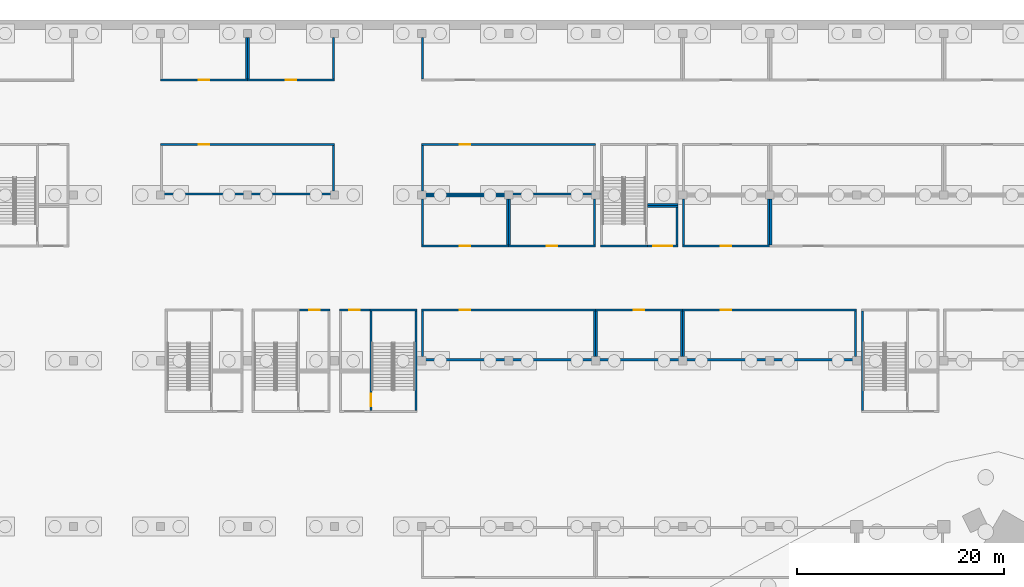
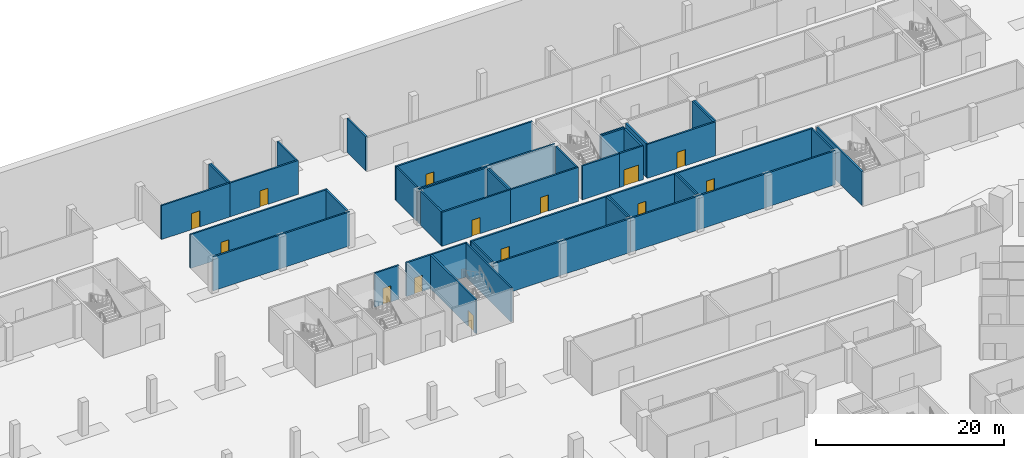
# One storey, part 22 of 46: 46 walls, 14 doors, 14 openings.
"""IFC4 building model written with IfcOpenShell, lengths in metres."""

from ifc_helpers import new_model, si_unit, direction, frame, frame_2d, origin, place, context, subcontext, project, spatial, rectangle, extrude, material, layer, layer_set, type_object, element, fill, save


model = new_model("IFC4")

# Units and contexts
model_context = context("Model", 3, precision=1e-05, world=origin(), true_north=direction((0.0, 1.0)))
body_context = subcontext(model_context, "Body", "Model", "MODEL_VIEW")
ifc_project = project(units=[si_unit("LENGTHUNIT", "METRE"), si_unit("AREAUNIT", "SQUARE_METRE"), si_unit("VOLUMEUNIT", "CUBIC_METRE"), si_unit("PLANEANGLEUNIT", "RADIAN"), si_unit("MASSUNIT", "GRAM", prefix="KILO")], contexts=[model_context])

# Site, building, storey
site_placement = place(None, origin())
site = spatial("IfcSite", under=ifc_project, at=site_placement, CompositionType="ELEMENT")
building_placement = place(site_placement, origin())
building = spatial("IfcBuilding", under=site, at=building_placement, Name="Tamra Quay Hotel Tower", CompositionType="ELEMENT")
storey_placement = place(building_placement, frame((0.0, 0.0, -12.0)))
storey = spatial("IfcBuildingStorey", under=building, at=storey_placement, Name="B3", CompositionType="ELEMENT", Elevation=-12.0)

# Wall
ifc_material_1 = material(Name="Blockwork", Category="masonry")
ifc_layer_1 = layer(ifc_material_1, 0.199951171875)
ifc_layer_set_1 = layer_set([ifc_layer_1], Name="Car park room wall 200")
wall_type_1 = type_object("IfcWallType", Name="Car park room wall 200", PredefinedType="PARTITIONING", material=ifc_layer_set_1)
wall_1_placement = place(storey_placement, frame((-38.699951171875, 48.10009765625, 0.0), z_axis=(0.0, 0.0, 1.0), x_axis=(1.0, 0.0, 0.0)))
element("IfcWall", 1, at=wall_1_placement, inside=storey, type_object=wall_type_1, Name="PW", PredefinedType="PARTITIONING", context=body_context, shape_type="SweptSolid", body=[
    extrude(rectangle(XDim=16.800048828125, YDim=0.199951171875, at=frame_2d((8.39990234375, 0.0))), origin(), (0.0, 0.0, 1.0), 4.39990234375),
])

# Wall, opening, door
wall_2_placement = place(storey_placement, frame((-38.699951171875, 52.89990234375, 0.0), z_axis=(0.0, 0.0, 1.0), x_axis=(1.0, 0.0, 0.0)))
wall_2 = element("IfcWall", 2, at=wall_2_placement, inside=storey, type_object=wall_type_1, Name="PW", PredefinedType="PARTITIONING", context=body_context, shape_type="SweptSolid", body=[
    extrude(rectangle(XDim=16.800048828125, YDim=0.199951171875, at=frame_2d((8.39990234375, 0.0))), origin(), (0.0, 0.0, 1.0), 4.39990234375),
])
opening_1_placement = place(wall_2_placement, frame((3.699951171875, 0.0, 0.0)))
opening_1 = element("IfcOpeningElement", 3, at=opening_1_placement, cuts=wall_2, Name="Opening PD1", PredefinedType="OPENING", context=body_context, shape_type="SweptSolid", body=[
    extrude(rectangle(XDim=1.0, YDim=2.10009765625, at=frame_2d((0.5, 1.050048828125))), frame((0.0, 0.10986328125, 0.0), z_axis=(0.0, -1.0, 0.0), x_axis=(1.0, 0.0, 0.0)), (0.0, 0.0, 1.0), 0.219970703125),
])
ifc_material_2 = material(Name="Car park door 1000 x 2100")
door_type_1 = type_object("IfcDoorType", Name="Car park door 1000 x 2100", OperationType="NOTDEFINED", PredefinedType="DOOR", material=ifc_material_2)
door_1_placement = place(opening_1_placement, origin())
door_1 = element("IfcDoor", 4, at=door_1_placement, inside=storey, type_object=door_type_1, Name="PD1", OperationType="SINGLE_SWING_LEFT", OverallHeight=2.10009765625, OverallWidth=1.0, PredefinedType="DOOR", context=body_context, shape_type="SweptSolid", body=[
    extrude(rectangle(XDim=1.0, YDim=2.10009765625, at=frame_2d((0.5, 1.050048828125))), frame((0.0, 0.02490234375, 0.0), z_axis=(0.0, -1.0, 0.0), x_axis=(1.0, 0.0, 0.0)), (0.0, 0.0, 1.0), 0.050048828125),
])
fill(opening_1, door_1)

# Walls
for number, where, z_axis, x_axis, name in (
    (5, (-38.60009765625, 48.39990234375, 0.0), (0.0, 0.0, 1.0), (0.0, 1.0, 0.0), "PW"),
    (6, (-22.0, 48.39990234375, 0.0), (0.0, 0.0, 1.0), (0.0, 1.0, 0.0), "PW"),
):
    element("IfcWall", number, at=place(storey_placement, frame(where, z_axis=z_axis, x_axis=x_axis)), inside=storey, type_object=wall_type_1, Name=name, PredefinedType="PARTITIONING", context=body_context, shape_type="SweptSolid", body=[
        extrude(rectangle(XDim=4.400146484375, YDim=0.199951171875, at=frame_2d((2.2001953125, 0.0))), origin(), (0.0, 0.0, 1.0), 4.39990234375),
    ])
wall_3_placement = place(storey_placement, frame((-21.89990234375, 48.10009765625, 0.0), z_axis=(0.0, 0.0, 1.0), x_axis=(1.0, 0.0, 0.0)))
element("IfcWall", 7, at=wall_3_placement, inside=storey, type_object=wall_type_1, Name="PW", PredefinedType="PARTITIONING", context=body_context, shape_type="SweptSolid", body=[
    extrude(rectangle(XDim=8.39990234375, YDim=0.199951171875, at=frame_2d((4.199951171875, 0.0))), origin(), (0.0, 0.0, 1.0), 4.39990234375),
])

# Wall, opening, door
wall_4_placement = place(storey_placement, frame((-21.89990234375, 52.89990234375, 0.0), z_axis=(0.0, 0.0, 1.0), x_axis=(1.0, 0.0, 0.0)))
wall_4 = element("IfcWall", 8, at=wall_4_placement, inside=storey, type_object=wall_type_1, Name="PW", PredefinedType="PARTITIONING", context=body_context, shape_type="SweptSolid", body=[
    extrude(rectangle(XDim=8.39990234375, YDim=0.199951171875, at=frame_2d((4.199951171875, 0.0))), origin(), (0.0, 0.0, 1.0), 4.39990234375),
])
opening_2_placement = place(wall_4_placement, frame((3.699951171875, 0.0, 0.0)))
opening_2 = element("IfcOpeningElement", 9, at=opening_2_placement, cuts=wall_4, Name="Opening PD1", PredefinedType="OPENING", context=body_context, shape_type="SweptSolid", body=[
    extrude(rectangle(XDim=1.0, YDim=2.10009765625, at=frame_2d((0.5, 1.050048828125))), frame((0.0, 0.10986328125, 0.0), z_axis=(0.0, -1.0, 0.0), x_axis=(1.0, 0.0, 0.0)), (0.0, 0.0, 1.0), 0.219970703125),
])
door_2_placement = place(opening_2_placement, origin())
door_2 = element("IfcDoor", 10, at=door_2_placement, inside=storey, type_object=door_type_1, Name="PD1", OperationType="SINGLE_SWING_LEFT", OverallHeight=2.10009765625, OverallWidth=1.0, PredefinedType="DOOR", context=body_context, shape_type="SweptSolid", body=[
    extrude(rectangle(XDim=1.0, YDim=2.10009765625, at=frame_2d((0.5, 1.050048828125))), frame((0.0, 0.02490234375, 0.0), z_axis=(0.0, -1.0, 0.0), x_axis=(1.0, 0.0, 0.0)), (0.0, 0.0, 1.0), 0.050048828125),
])
fill(opening_2, door_2)

# Walls
for number, where, z_axis, x_axis, name in (
    (11, (-21.800048828125, 48.39990234375, 0.0), (0.0, 0.0, 1.0), (0.0, 1.0, 0.0), "PW"),
    (12, (-13.60009765625, 48.39990234375, 0.0), (0.0, 0.0, 1.0), (0.0, 1.0, 0.0), "PW"),
):
    element("IfcWall", number, at=place(storey_placement, frame(where, z_axis=z_axis, x_axis=x_axis)), inside=storey, type_object=wall_type_1, Name=name, PredefinedType="PARTITIONING", context=body_context, shape_type="SweptSolid", body=[
        extrude(rectangle(XDim=4.400146484375, YDim=0.199951171875, at=frame_2d((2.2001953125, 0.0))), origin(), (0.0, 0.0, 1.0), 4.39990234375),
    ])
wall_5_placement = place(storey_placement, frame((-13.5, 48.10009765625, 0.0), z_axis=(0.0, 0.0, 1.0), x_axis=(1.0, 0.0, 0.0)))
element("IfcWall", 13, at=wall_5_placement, inside=storey, type_object=wall_type_1, Name="PW", PredefinedType="PARTITIONING", context=body_context, shape_type="SweptSolid", body=[
    extrude(rectangle(XDim=16.800048828125, YDim=0.199951171875, at=frame_2d((8.39990234375, 0.0))), origin(), (0.0, 0.0, 1.0), 4.39990234375),
])

# Wall, opening, door
wall_6_placement = place(storey_placement, frame((-13.5, 52.89990234375, 0.0), z_axis=(0.0, 0.0, 1.0), x_axis=(1.0, 0.0, 0.0)))
wall_6 = element("IfcWall", 14, at=wall_6_placement, inside=storey, type_object=wall_type_1, Name="PW", PredefinedType="PARTITIONING", context=body_context, shape_type="SweptSolid", body=[
    extrude(rectangle(XDim=16.800048828125, YDim=0.199951171875, at=frame_2d((8.39990234375, 0.0))), origin(), (0.0, 0.0, 1.0), 4.39990234375),
])
opening_3_placement = place(wall_6_placement, frame((3.699951171875, 0.0, 0.0)))
opening_3 = element("IfcOpeningElement", 15, at=opening_3_placement, cuts=wall_6, Name="Opening PD1", PredefinedType="OPENING", context=body_context, shape_type="SweptSolid", body=[
    extrude(rectangle(XDim=1.0, YDim=2.10009765625, at=frame_2d((0.5, 1.050048828125))), frame((0.0, 0.10986328125, 0.0), z_axis=(0.0, -1.0, 0.0), x_axis=(1.0, 0.0, 0.0)), (0.0, 0.0, 1.0), 0.219970703125),
])
door_3_placement = place(opening_3_placement, origin())
door_3 = element("IfcDoor", 16, at=door_3_placement, inside=storey, type_object=door_type_1, Name="PD1", OperationType="SINGLE_SWING_LEFT", OverallHeight=2.10009765625, OverallWidth=1.0, PredefinedType="DOOR", context=body_context, shape_type="SweptSolid", body=[
    extrude(rectangle(XDim=1.0, YDim=2.10009765625, at=frame_2d((0.5, 1.050048828125))), frame((0.0, 0.02490234375, 0.0), z_axis=(0.0, -1.0, 0.0), x_axis=(1.0, 0.0, 0.0)), (0.0, 0.0, 1.0), 0.050048828125),
])
fill(opening_3, door_3)

# Walls
for number, where, z_axis, x_axis, name in (
    (17, (-13.39990234375, 48.39990234375, 0.0), (0.0, 0.0, 1.0), (0.0, 1.0, 0.0), "PW"),
    (18, (3.199951171875, 48.39990234375, 0.0), (0.0, 0.0, 1.0), (0.0, 1.0, 0.0), "PW"),
):
    element("IfcWall", number, at=place(storey_placement, frame(where, z_axis=z_axis, x_axis=x_axis)), inside=storey, type_object=wall_type_1, Name=name, PredefinedType="PARTITIONING", context=body_context, shape_type="SweptSolid", body=[
        extrude(rectangle(XDim=4.400146484375, YDim=0.199951171875, at=frame_2d((2.2001953125, 0.0))), origin(), (0.0, 0.0, 1.0), 4.39990234375),
    ])

# Wall, opening, door
wall_7_placement = place(storey_placement, frame((-38.699951171875, 59.10009765625, 0.0), z_axis=(0.0, 0.0, 1.0), x_axis=(1.0, 0.0, 0.0)))
wall_7 = element("IfcWall", 19, at=wall_7_placement, inside=storey, type_object=wall_type_1, Name="PW", PredefinedType="PARTITIONING", context=body_context, shape_type="SweptSolid", body=[
    extrude(rectangle(XDim=8.39990234375, YDim=0.199951171875, at=frame_2d((4.199951171875, 0.0))), origin(), (0.0, 0.0, 1.0), 4.39990234375),
])
opening_4_placement = place(wall_7_placement, frame((3.699951171875, 0.0, 0.0)))
opening_4 = element("IfcOpeningElement", 20, at=opening_4_placement, cuts=wall_7, Name="Opening PD1", PredefinedType="OPENING", context=body_context, shape_type="SweptSolid", body=[
    extrude(rectangle(XDim=1.0, YDim=2.10009765625, at=frame_2d((0.5, 1.050048828125))), frame((0.0, 0.10986328125, 0.0), z_axis=(0.0, -1.0, 0.0), x_axis=(1.0, 0.0, 0.0)), (0.0, 0.0, 1.0), 0.219970703125),
])
door_4_placement = place(opening_4_placement, origin())
door_4 = element("IfcDoor", 21, at=door_4_placement, inside=storey, type_object=door_type_1, Name="PD1", OperationType="SINGLE_SWING_LEFT", OverallHeight=2.10009765625, OverallWidth=1.0, PredefinedType="DOOR", context=body_context, shape_type="SweptSolid", body=[
    extrude(rectangle(XDim=1.0, YDim=2.10009765625, at=frame_2d((0.5, 1.050048828125))), frame((0.0, 0.02490234375, 0.0), z_axis=(0.0, -1.0, 0.0), x_axis=(1.0, 0.0, 0.0)), (0.0, 0.0, 1.0), 0.050048828125),
])
fill(opening_4, door_4)

# Walls
wall_8_placement = place(storey_placement, frame((-38.699951171875, 63.89990234375, 0.0), z_axis=(0.0, 0.0, 1.0), x_axis=(1.0, 0.0, 0.0)))
element("IfcWall", 22, at=wall_8_placement, inside=storey, type_object=wall_type_1, Name="PW", PredefinedType="PARTITIONING", context=body_context, shape_type="SweptSolid", body=[
    extrude(rectangle(XDim=8.39990234375, YDim=0.199951171875, at=frame_2d((4.199951171875, 0.0))), origin(), (0.0, 0.0, 1.0), 4.39990234375),
])
for number, where, z_axis, x_axis, name in (
    (23, (-38.60009765625, 59.199951171875, 0.0), (0.0, 0.0, 1.0), (0.0, 1.0, 0.0), "PW"),
    (24, (-30.39990234375, 59.199951171875, 0.0), (0.0, 0.0, 1.0), (0.0, 1.0, 0.0), "PW"),
):
    element("IfcWall", number, at=place(storey_placement, frame(where, z_axis=z_axis, x_axis=x_axis)), inside=storey, type_object=wall_type_1, Name=name, PredefinedType="PARTITIONING", context=body_context, shape_type="SweptSolid", body=[
        extrude(rectangle(XDim=4.400146484375, YDim=0.199951171875, at=frame_2d((2.2001953125, 0.0))), origin(), (0.0, 0.0, 1.0), 4.39990234375),
    ])

# Wall, opening, door
wall_9_placement = place(storey_placement, frame((-30.300048828125, 59.10009765625, 0.0), z_axis=(0.0, 0.0, 1.0), x_axis=(1.0, 0.0, 0.0)))
wall_9 = element("IfcWall", 25, at=wall_9_placement, inside=storey, type_object=wall_type_1, Name="PW", PredefinedType="PARTITIONING", context=body_context, shape_type="SweptSolid", body=[
    extrude(rectangle(XDim=8.400146484375, YDim=0.199951171875, at=frame_2d((4.2001953125, 0.0))), origin(), (0.0, 0.0, 1.0), 4.39990234375),
])
opening_5_placement = place(wall_9_placement, frame((3.699951171875, 0.0, 0.0)))
opening_5 = element("IfcOpeningElement", 26, at=opening_5_placement, cuts=wall_9, Name="Opening PD1", PredefinedType="OPENING", context=body_context, shape_type="SweptSolid", body=[
    extrude(rectangle(XDim=1.0, YDim=2.10009765625, at=frame_2d((0.5, 1.050048828125))), frame((0.0, 0.10986328125, 0.0), z_axis=(0.0, -1.0, 0.0), x_axis=(1.0, 0.0, 0.0)), (0.0, 0.0, 1.0), 0.219970703125),
])
door_5_placement = place(opening_5_placement, origin())
door_5 = element("IfcDoor", 27, at=door_5_placement, inside=storey, type_object=door_type_1, Name="PD1", OperationType="SINGLE_SWING_LEFT", OverallHeight=2.10009765625, OverallWidth=1.0, PredefinedType="DOOR", context=body_context, shape_type="SweptSolid", body=[
    extrude(rectangle(XDim=1.0, YDim=2.10009765625, at=frame_2d((0.5, 1.050048828125))), frame((0.0, 0.02490234375, 0.0), z_axis=(0.0, -1.0, 0.0), x_axis=(1.0, 0.0, 0.0)), (0.0, 0.0, 1.0), 0.050048828125),
])
fill(opening_5, door_5)

# Walls
for number, where, z_axis, x_axis, name in (
    (28, (-30.199951171875, 59.199951171875, 0.0), (0.0, 0.0, 1.0), (0.0, 1.0, 0.0), "PW"),
    (29, (-22.0, 59.199951171875, 0.0), (0.0, 0.0, 1.0), (0.0, 1.0, 0.0), "PW"),
):
    element("IfcWall", number, at=place(storey_placement, frame(where, z_axis=z_axis, x_axis=x_axis)), inside=storey, type_object=wall_type_1, Name=name, PredefinedType="PARTITIONING", context=body_context, shape_type="SweptSolid", body=[
        extrude(rectangle(XDim=4.400146484375, YDim=0.199951171875, at=frame_2d((2.2001953125, 0.0))), origin(), (0.0, 0.0, 1.0), 4.39990234375),
    ])

# Wall, opening, door
wall_10_placement = place(storey_placement, frame((-13.5, 59.10009765625, 0.0), z_axis=(0.0, 0.0, 1.0), x_axis=(1.0, 0.0, 0.0)))
wall_10 = element("IfcWall", 30, at=wall_10_placement, inside=storey, type_object=wall_type_1, Name="PW", PredefinedType="PARTITIONING", context=body_context, shape_type="SweptSolid", body=[
    extrude(rectangle(XDim=8.39990234375, YDim=0.199951171875, at=frame_2d((4.199951171875, 0.0))), origin(), (0.0, 0.0, 1.0), 4.39990234375),
])
opening_6_placement = place(wall_10_placement, frame((3.699951171875, 0.0, 0.0)))
opening_6 = element("IfcOpeningElement", 31, at=opening_6_placement, cuts=wall_10, Name="Opening PD1", PredefinedType="OPENING", context=body_context, shape_type="SweptSolid", body=[
    extrude(rectangle(XDim=1.0, YDim=2.10009765625, at=frame_2d((0.5, 1.050048828125))), frame((0.0, 0.10986328125, 0.0), z_axis=(0.0, -1.0, 0.0), x_axis=(1.0, 0.0, 0.0)), (0.0, 0.0, 1.0), 0.219970703125),
])
door_6_placement = place(opening_6_placement, origin())
door_6 = element("IfcDoor", 32, at=door_6_placement, inside=storey, type_object=door_type_1, Name="PD1", OperationType="SINGLE_SWING_LEFT", OverallHeight=2.10009765625, OverallWidth=1.0, PredefinedType="DOOR", context=body_context, shape_type="SweptSolid", body=[
    extrude(rectangle(XDim=1.0, YDim=2.10009765625, at=frame_2d((0.5, 1.050048828125))), frame((0.0, 0.02490234375, 0.0), z_axis=(0.0, -1.0, 0.0), x_axis=(1.0, 0.0, 0.0)), (0.0, 0.0, 1.0), 0.050048828125),
])
fill(opening_6, door_6)

# Walls
for number, where, z_axis, x_axis, name in (
    (33, (-13.39990234375, 59.199951171875, 0.0), (0.0, 0.0, 1.0), (0.0, 1.0, 0.0), "PW"),
    (34, (-5.199951171875, 59.199951171875, 0.0), (0.0, 0.0, 1.0), (0.0, 1.0, 0.0), "PW"),
    (35, (-5.0, 59.199951171875, 0.0), (0.0, 0.0, 1.0), (0.0, 1.0, 0.0), "PW"),
):
    element("IfcWall", number, at=place(storey_placement, frame(where, z_axis=z_axis, x_axis=x_axis)), inside=storey, type_object=wall_type_1, Name=name, PredefinedType="PARTITIONING", context=body_context, shape_type="SweptSolid", body=[
        extrude(rectangle(XDim=4.400146484375, YDim=0.199951171875, at=frame_2d((2.2001953125, 0.0))), origin(), (0.0, 0.0, 1.0), 4.39990234375),
    ])
wall_11_placement = place(storey_placement, frame((-63.89990234375, 64.10009765625, 0.0), z_axis=(0.0, 0.0, 1.0), x_axis=(1.0, 0.0, 0.0)))
element("IfcWall", 36, at=wall_11_placement, inside=storey, type_object=wall_type_1, Name="PW", PredefinedType="PARTITIONING", context=body_context, shape_type="SweptSolid", body=[
    extrude(rectangle(XDim=16.7998046875, YDim=0.199951171875, at=frame_2d((8.39990234375, 0.0))), origin(), (0.0, 0.0, 1.0), 4.39990234375),
])

# Wall, opening, door
wall_12_placement = place(storey_placement, frame((-63.89990234375, 68.89990234375, 0.0), z_axis=(0.0, 0.0, 1.0), x_axis=(1.0, 0.0, 0.0)))
wall_12 = element("IfcWall", 37, at=wall_12_placement, inside=storey, type_object=wall_type_1, Name="PW", PredefinedType="PARTITIONING", context=body_context, shape_type="SweptSolid", body=[
    extrude(rectangle(XDim=16.7998046875, YDim=0.199951171875, at=frame_2d((8.39990234375, 0.0))), origin(), (0.0, 0.0, 1.0), 4.39990234375),
])
opening_7_placement = place(wall_12_placement, frame((3.699951171875, 0.0, 0.0)))
opening_7 = element("IfcOpeningElement", 38, at=opening_7_placement, cuts=wall_12, Name="Opening PD1", PredefinedType="OPENING", context=body_context, shape_type="SweptSolid", body=[
    extrude(rectangle(XDim=1.0, YDim=2.10009765625, at=frame_2d((0.5, 1.050048828125))), frame((0.0, 0.10986328125, 0.0), z_axis=(0.0, -1.0, 0.0), x_axis=(1.0, 0.0, 0.0)), (0.0, 0.0, 1.0), 0.219970703125),
])
door_7_placement = place(opening_7_placement, origin())
door_7 = element("IfcDoor", 39, at=door_7_placement, inside=storey, type_object=door_type_1, Name="PD1", OperationType="SINGLE_SWING_LEFT", OverallHeight=2.10009765625, OverallWidth=1.0, PredefinedType="DOOR", context=body_context, shape_type="SweptSolid", body=[
    extrude(rectangle(XDim=1.0, YDim=2.10009765625, at=frame_2d((0.5, 1.050048828125))), frame((0.0, 0.02490234375, 0.0), z_axis=(0.0, -1.0, 0.0), x_axis=(1.0, 0.0, 0.0)), (0.0, 0.0, 1.0), 0.050048828125),
])
fill(opening_7, door_7)

# Walls
wall_13_placement = place(storey_placement, frame((-47.199951171875, 64.39990234375, 0.0), z_axis=(0.0, 0.0, 1.0), x_axis=(0.0, 1.0, 0.0)))
element("IfcWall", 40, at=wall_13_placement, inside=storey, type_object=wall_type_1, Name="PW", PredefinedType="PARTITIONING", context=body_context, shape_type="SweptSolid", body=[
    extrude(rectangle(XDim=4.400146484375, YDim=0.199951171875, at=frame_2d((2.2001953125, 0.0))), origin(), (0.0, 0.0, 1.0), 4.39990234375),
])
wall_14_placement = place(storey_placement, frame((-38.699951171875, 64.10009765625, 0.0), z_axis=(0.0, 0.0, 1.0), x_axis=(1.0, 0.0, 0.0)))
element("IfcWall", 41, at=wall_14_placement, inside=storey, type_object=wall_type_1, Name="PW", PredefinedType="PARTITIONING", context=body_context, shape_type="SweptSolid", body=[
    extrude(rectangle(XDim=16.800048828125, YDim=0.199951171875, at=frame_2d((8.39990234375, 0.0))), origin(), (0.0, 0.0, 1.0), 4.39990234375),
])

# Wall, opening, door
wall_15_placement = place(storey_placement, frame((-38.699951171875, 68.89990234375, 0.0), z_axis=(0.0, 0.0, 1.0), x_axis=(1.0, 0.0, 0.0)))
wall_15 = element("IfcWall", 42, at=wall_15_placement, inside=storey, type_object=wall_type_1, Name="PW", PredefinedType="PARTITIONING", context=body_context, shape_type="SweptSolid", body=[
    extrude(rectangle(XDim=16.800048828125, YDim=0.199951171875, at=frame_2d((8.39990234375, 0.0))), origin(), (0.0, 0.0, 1.0), 4.39990234375),
])
opening_8_placement = place(wall_15_placement, frame((3.699951171875, 0.0, 0.0)))
opening_8 = element("IfcOpeningElement", 43, at=opening_8_placement, cuts=wall_15, Name="Opening PD1", PredefinedType="OPENING", context=body_context, shape_type="SweptSolid", body=[
    extrude(rectangle(XDim=1.0, YDim=2.10009765625, at=frame_2d((0.5, 1.050048828125))), frame((0.0, 0.10986328125, 0.0), z_axis=(0.0, -1.0, 0.0), x_axis=(1.0, 0.0, 0.0)), (0.0, 0.0, 1.0), 0.219970703125),
])
door_8_placement = place(opening_8_placement, origin())
door_8 = element("IfcDoor", 44, at=door_8_placement, inside=storey, type_object=door_type_1, Name="PD1", OperationType="SINGLE_SWING_LEFT", OverallHeight=2.10009765625, OverallWidth=1.0, PredefinedType="DOOR", context=body_context, shape_type="SweptSolid", body=[
    extrude(rectangle(XDim=1.0, YDim=2.10009765625, at=frame_2d((0.5, 1.050048828125))), frame((0.0, 0.02490234375, 0.0), z_axis=(0.0, -1.0, 0.0), x_axis=(1.0, 0.0, 0.0)), (0.0, 0.0, 1.0), 0.050048828125),
])
fill(opening_8, door_8)

# Wall
wall_16_placement = place(storey_placement, frame((-38.60009765625, 64.39990234375, 0.0), z_axis=(0.0, 0.0, 1.0), x_axis=(0.0, 1.0, 0.0)))
element("IfcWall", 45, at=wall_16_placement, inside=storey, type_object=wall_type_1, Name="PW", PredefinedType="PARTITIONING", context=body_context, shape_type="SweptSolid", body=[
    extrude(rectangle(XDim=4.400146484375, YDim=0.199951171875, at=frame_2d((2.2001953125, 0.0))), origin(), (0.0, 0.0, 1.0), 4.39990234375),
])

# Wall, opening, door
wall_17_placement = place(storey_placement, frame((-63.89990234375, 75.10009765625, 0.0), z_axis=(0.0, 0.0, 1.0), x_axis=(1.0, 0.0, 0.0)))
wall_17 = element("IfcWall", 46, at=wall_17_placement, inside=storey, type_object=wall_type_1, Name="PW", PredefinedType="PARTITIONING", context=body_context, shape_type="SweptSolid", body=[
    extrude(rectangle(XDim=8.39990234375, YDim=0.199951171875, at=frame_2d((4.199951171875, 0.0))), origin(), (0.0, 0.0, 1.0), 4.39990234375),
])
opening_9_placement = place(wall_17_placement, frame((3.699951171875, 0.0, 0.0)))
opening_9 = element("IfcOpeningElement", 47, at=opening_9_placement, cuts=wall_17, Name="Opening PD1", PredefinedType="OPENING", context=body_context, shape_type="SweptSolid", body=[
    extrude(rectangle(XDim=1.0, YDim=2.10009765625, at=frame_2d((0.5, 1.050048828125))), frame((0.0, 0.10986328125, 0.0), z_axis=(0.0, -1.0, 0.0), x_axis=(1.0, 0.0, 0.0)), (0.0, 0.0, 1.0), 0.219970703125),
])
door_9_placement = place(opening_9_placement, origin())
door_9 = element("IfcDoor", 48, at=door_9_placement, inside=storey, type_object=door_type_1, Name="PD1", OperationType="SINGLE_SWING_LEFT", OverallHeight=2.10009765625, OverallWidth=1.0, PredefinedType="DOOR", context=body_context, shape_type="SweptSolid", body=[
    extrude(rectangle(XDim=1.0, YDim=2.10009765625, at=frame_2d((0.5, 1.050048828125))), frame((0.0, 0.02490234375, 0.0), z_axis=(0.0, -1.0, 0.0), x_axis=(1.0, 0.0, 0.0)), (0.0, 0.0, 1.0), 0.050048828125),
])
fill(opening_9, door_9)

# Wall
wall_18_placement = place(storey_placement, frame((-55.60009765625, 75.199951171875, 0.0), z_axis=(0.0, 0.0, 1.0), x_axis=(0.0, 1.0, 0.0)))
element("IfcWall", 49, at=wall_18_placement, inside=storey, type_object=wall_type_1, Name="PW", PredefinedType="PARTITIONING", context=body_context, shape_type="SweptSolid", body=[
    extrude(rectangle(XDim=4.0, YDim=0.199951171875, at=frame_2d((2.0, 0.0))), origin(), (0.0, 0.0, 1.0), 4.39990234375),
])

# Wall, opening, door
wall_19_placement = place(storey_placement, frame((-55.5, 75.10009765625, 0.0), z_axis=(0.0, 0.0, 1.0), x_axis=(1.0, 0.0, 0.0)))
wall_19 = element("IfcWall", 50, at=wall_19_placement, inside=storey, type_object=wall_type_1, Name="PW", PredefinedType="PARTITIONING", context=body_context, shape_type="SweptSolid", body=[
    extrude(rectangle(XDim=8.39990234375, YDim=0.199951171875, at=frame_2d((4.199951171875, 0.0))), origin(), (0.0, 0.0, 1.0), 4.39990234375),
])
opening_10_placement = place(wall_19_placement, frame((3.699951171875, 0.0, 0.0)))
opening_10 = element("IfcOpeningElement", 51, at=opening_10_placement, cuts=wall_19, Name="Opening PD1", PredefinedType="OPENING", context=body_context, shape_type="SweptSolid", body=[
    extrude(rectangle(XDim=1.0, YDim=2.10009765625, at=frame_2d((0.5, 1.050048828125))), frame((0.0, 0.10986328125, 0.0), z_axis=(0.0, -1.0, 0.0), x_axis=(1.0, 0.0, 0.0)), (0.0, 0.0, 1.0), 0.219970703125),
])
door_10_placement = place(opening_10_placement, origin())
door_10 = element("IfcDoor", 52, at=door_10_placement, inside=storey, type_object=door_type_1, Name="PD1", OperationType="SINGLE_SWING_LEFT", OverallHeight=2.10009765625, OverallWidth=1.0, PredefinedType="DOOR", context=body_context, shape_type="SweptSolid", body=[
    extrude(rectangle(XDim=1.0, YDim=2.10009765625, at=frame_2d((0.5, 1.050048828125))), frame((0.0, 0.02490234375, 0.0), z_axis=(0.0, -1.0, 0.0), x_axis=(1.0, 0.0, 0.0)), (0.0, 0.0, 1.0), 0.050048828125),
])
fill(opening_10, door_10)

# Walls
for number, where, z_axis, x_axis, name in (
    (53, (-55.39990234375, 75.199951171875, 0.0), (0.0, 0.0, 1.0), (0.0, 1.0, 0.0), "PW"),
    (54, (-47.199951171875, 75.199951171875, 0.0), (0.0, 0.0, 1.0), (0.0, 1.0, 0.0), "PW"),
    (55, (-38.60009765625, 75.199951171875, 0.0), (0.0, 0.0, 1.0), (0.0, 1.0, 0.0), "PW"),
):
    element("IfcWall", number, at=place(storey_placement, frame(where, z_axis=z_axis, x_axis=x_axis)), inside=storey, type_object=wall_type_1, Name=name, PredefinedType="PARTITIONING", context=body_context, shape_type="SweptSolid", body=[
        extrude(rectangle(XDim=4.0, YDim=0.199951171875, at=frame_2d((2.0, 0.0))), origin(), (0.0, 0.0, 1.0), 4.39990234375),
    ])

# Wall, opening, door
wall_20_placement = place(storey_placement, frame((-50.5, 52.89990234375, 0.0), z_axis=(0.0, 0.0, 1.0), x_axis=(1.0, 0.0, 0.0)))
wall_20 = element("IfcWall", 56, at=wall_20_placement, inside=storey, type_object=wall_type_1, Name="PW", PredefinedType="PARTITIONING", context=body_context, shape_type="SweptSolid", body=[
    extrude(rectangle(XDim=2.949951171875, YDim=0.199951171875, at=frame_2d((1.47509765625, 0.0))), origin(), (0.0, 0.0, 1.0), 4.39990234375),
])
opening_11_placement = place(wall_20_placement, frame((0.97509765625, 0.0, 0.0)))
opening_11 = element("IfcOpeningElement", 57, at=opening_11_placement, cuts=wall_20, Name="Opening PD1", PredefinedType="OPENING", context=body_context, shape_type="SweptSolid", body=[
    extrude(rectangle(XDim=1.0, YDim=2.10009765625, at=frame_2d((0.5, 1.050048828125))), frame((0.0, 0.10986328125, 0.0), z_axis=(0.0, -1.0, 0.0), x_axis=(1.0, 0.0, 0.0)), (0.0, 0.0, 1.0), 0.219970703125),
])
door_11_placement = place(opening_11_placement, origin())
door_11 = element("IfcDoor", 58, at=door_11_placement, inside=storey, type_object=door_type_1, Name="PD1", OperationType="SINGLE_SWING_LEFT", OverallHeight=2.10009765625, OverallWidth=1.0, PredefinedType="DOOR", context=body_context, shape_type="SweptSolid", body=[
    extrude(rectangle(XDim=1.0, YDim=2.10009765625, at=frame_2d((0.5, 1.050048828125))), frame((0.0, 0.02490234375, 0.0), z_axis=(0.0, -1.0, 0.0), x_axis=(1.0, 0.0, 0.0)), (0.0, 0.0, 1.0), 0.050048828125),
])
fill(opening_11, door_11)

wall_21_placement = place(storey_placement, frame((-16.89990234375, 59.10009765625, 0.0), z_axis=(0.0, 0.0, 1.0), x_axis=(1.0, 0.0, 0.0)))
wall_21 = element("IfcWall", 59, at=wall_21_placement, inside=storey, type_object=wall_type_1, Name="PW", PredefinedType="PARTITIONING", context=body_context, shape_type="SweptSolid", body=[
    extrude(rectangle(XDim=2.949951171875, YDim=0.199951171875, at=frame_2d((1.47509765625, 0.0))), origin(), (0.0, 0.0, 1.0), 4.39990234375),
])
opening_12_placement = place(wall_21_placement, frame((0.574951171875, 0.0, 0.0)))
opening_12 = element("IfcOpeningElement", 60, at=opening_12_placement, cuts=wall_21, Name="Opening PD2", PredefinedType="OPENING", context=body_context, shape_type="SweptSolid", body=[
    extrude(rectangle(XDim=1.800048828125, YDim=2.10009765625, at=frame_2d((0.89990234375, 1.050048828125))), frame((0.0, 0.10986328125, 0.0), z_axis=(0.0, -1.0, 0.0), x_axis=(1.0, 0.0, 0.0)), (0.0, 0.0, 1.0), 0.219970703125),
])
ifc_material_3 = material(Name="Plant door 1800 x 2100")
door_type_2 = type_object("IfcDoorType", Name="Plant door 1800 x 2100", OperationType="DOUBLE_DOOR_SINGLE_SWING", PredefinedType="DOOR", material=ifc_material_3)
door_12_placement = place(opening_12_placement, origin())
door_12 = element("IfcDoor", 61, at=door_12_placement, inside=storey, type_object=door_type_2, Name="PD2", OperationType="DOUBLE_DOOR_SINGLE_SWING", OverallHeight=2.10009765625, OverallWidth=1.800048828125, PredefinedType="DOOR", context=body_context, shape_type="SweptSolid", body=[
    extrude(rectangle(XDim=1.800048828125, YDim=2.10009765625, at=frame_2d((0.89990234375, 1.050048828125))), frame((0.0, 0.02490234375, 0.0), z_axis=(0.0, -1.0, 0.0), x_axis=(1.0, 0.0, 0.0)), (0.0, 0.0, 1.0), 0.050048828125),
])
fill(opening_12, door_12)

# Walls
wall_22_placement = place(storey_placement, frame((-16.89990234375, 62.89990234375, 0.0), z_axis=(0.0, 0.0, 1.0), x_axis=(1.0, 0.0, 0.0)))
element("IfcWall", 62, at=wall_22_placement, inside=storey, type_object=wall_type_1, Name="PW", PredefinedType="PARTITIONING", context=body_context, shape_type="SweptSolid", body=[
    extrude(rectangle(XDim=2.949951171875, YDim=0.199951171875, at=frame_2d((1.47509765625, 0.0))), origin(), (0.0, 0.0, 1.0), 4.39990234375),
])
wall_23_placement = place(storey_placement, frame((-14.050048828125, 59.199951171875, 0.0), z_axis=(0.0, 0.0, 1.0), x_axis=(0.0, 1.0, 0.0)))
element("IfcWall", 63, at=wall_23_placement, inside=storey, type_object=wall_type_1, Name="PW", PredefinedType="PARTITIONING", context=body_context, shape_type="SweptSolid", body=[
    extrude(rectangle(XDim=3.60009765625, YDim=0.199951171875, at=frame_2d((1.800048828125, 0.0))), origin(), (0.0, 0.0, 1.0), 4.39990234375),
])
wall_24_placement = place(storey_placement, frame((-16.89990234375, 63.10009765625, 0.0), z_axis=(0.0, 0.0, 1.0), x_axis=(1.0, 0.0, 0.0)))
element("IfcWall", 64, at=wall_24_placement, inside=storey, type_object=wall_type_1, Name="PW", PredefinedType="PARTITIONING", context=body_context, shape_type="SweptSolid", body=[
    extrude(rectangle(XDim=2.949951171875, YDim=0.199951171875, at=frame_2d((1.47509765625, 0.0))), origin(), (0.0, 0.0, 1.0), 4.39990234375),
])

# Wall, opening, door
wall_25_placement = place(storey_placement, frame((-46.64990234375, 52.89990234375, 0.0), z_axis=(0.0, 0.0, 1.0), x_axis=(1.0, 0.0, 0.0)))
wall_25 = element("IfcWall", 65, at=wall_25_placement, inside=storey, type_object=wall_type_1, Name="PW", PredefinedType="PARTITIONING", context=body_context, shape_type="SweptSolid", body=[
    extrude(rectangle(XDim=2.949951171875, YDim=0.199951171875, at=frame_2d((1.47509765625, 0.0))), origin(), (0.0, 0.0, 1.0), 4.39990234375),
])
opening_13_placement = place(wall_25_placement, frame((0.97509765625, 0.0, 0.0)))
opening_13 = element("IfcOpeningElement", 66, at=opening_13_placement, cuts=wall_25, Name="Opening PD1", PredefinedType="OPENING", context=body_context, shape_type="SweptSolid", body=[
    extrude(rectangle(XDim=1.0, YDim=2.10009765625, at=frame_2d((0.5, 1.050048828125))), frame((0.0, 0.10986328125, 0.0), z_axis=(0.0, -1.0, 0.0), x_axis=(1.0, 0.0, 0.0)), (0.0, 0.0, 1.0), 0.219970703125),
])
door_13_placement = place(opening_13_placement, origin())
door_13 = element("IfcDoor", 67, at=door_13_placement, inside=storey, type_object=door_type_1, Name="PD1", OperationType="SINGLE_SWING_LEFT", OverallHeight=2.10009765625, OverallWidth=1.0, PredefinedType="DOOR", context=body_context, shape_type="SweptSolid", body=[
    extrude(rectangle(XDim=1.0, YDim=2.10009765625, at=frame_2d((0.5, 1.050048828125))), frame((0.0, 0.02490234375, 0.0), z_axis=(0.0, -1.0, 0.0), x_axis=(1.0, 0.0, 0.0)), (0.0, 0.0, 1.0), 0.050048828125),
])
fill(opening_13, door_13)

# Walls
ifc_material_4 = material(Name="Concrete M70", Category="concrete")
ifc_layer_2 = layer(ifc_material_4, 0.199951171875)
ifc_layer_set_2 = layer_set([ifc_layer_2], Name="Concrete M70 stair enclosure wall 200")
wall_type_2 = type_object("IfcWallType", Name="Concrete M70 stair enclosure wall 200", PredefinedType="SOLIDWALL", material=ifc_layer_set_2)
wall_26_placement = place(storey_placement, frame((-16.89990234375, 59.10009765625, 0.0), z_axis=(0.0, 0.0, 1.0), x_axis=(-1.0, 0.0, 0.0)))
element("IfcWall", 68, at=wall_26_placement, inside=storey, type_object=wall_type_2, Name="SEW", PredefinedType="SOLIDWALL", context=body_context, shape_type="SweptSolid", body=[
    extrude(rectangle(XDim=4.550048828125, YDim=0.199951171875, at=frame_2d((2.27490234375, 0.0))), origin(), (0.0, 0.0, 1.0), 4.39990234375),
])
wall_27_placement = place(storey_placement, frame((3.85009765625, 43.199951171875, 0.0), z_axis=(0.0, 0.0, 1.0), x_axis=(0.0, 1.0, 0.0)))
element("IfcWall", 69, at=wall_27_placement, inside=storey, type_object=wall_type_2, Name="SEW", PredefinedType="SOLIDWALL", context=body_context, shape_type="SweptSolid", body=[
    extrude(rectangle(XDim=9.60009765625, YDim=0.199951171875, at=frame_2d((4.800048828125, 0.0))), origin(), (0.0, 0.0, 1.0), 4.39990234375),
])

# Wall, opening, door
wall_28_placement = place(storey_placement, frame((-43.60009765625, 43.199951171875, 0.0), z_axis=(0.0, 0.0, 1.0), x_axis=(0.0, 1.0, 0.0)))
wall_28 = element("IfcWall", 70, at=wall_28_placement, inside=storey, type_object=wall_type_2, Name="SEW", PredefinedType="SOLIDWALL", context=body_context, shape_type="SweptSolid", body=[
    extrude(rectangle(XDim=9.60009765625, YDim=0.199951171875, at=frame_2d((4.800048828125, 0.0))), origin(), (0.0, 0.0, 1.0), 4.39990234375),
])
opening_14_placement = place(wall_28_placement, frame((0.39990234375, 0.0, 0.0)))
opening_14 = element("IfcOpeningElement", 71, at=opening_14_placement, cuts=wall_28, Name="Opening SD1", PredefinedType="OPENING", context=body_context, shape_type="SweptSolid", body=[
    extrude(rectangle(XDim=1.199951171875, YDim=2.10009765625, at=frame_2d((0.60009765625, 1.050048828125))), frame((0.0, 0.10986328125, 0.0), z_axis=(0.0, -1.0, 0.0), x_axis=(1.0, 0.0, 0.0)), (0.0, 0.0, 1.0), 0.219970703125),
])
ifc_material_5 = material(Name="Stair door 1200 x 2100")
door_type_3 = type_object("IfcDoorType", Name="Stair door 1200 x 2100", OperationType="NOTDEFINED", PredefinedType="DOOR", material=ifc_material_5)
door_14_placement = place(opening_14_placement, origin())
door_14 = element("IfcDoor", 72, at=door_14_placement, inside=storey, type_object=door_type_3, Name="SD1", OperationType="SINGLE_SWING_LEFT", OverallHeight=2.10009765625, OverallWidth=1.199951171875, PredefinedType="DOOR", context=body_context, shape_type="SweptSolid", body=[
    extrude(rectangle(XDim=1.199951171875, YDim=2.10009765625, at=frame_2d((0.60009765625, 1.050048828125))), frame((0.0, 0.02490234375, 0.0), z_axis=(0.0, -1.0, 0.0), x_axis=(1.0, 0.0, 0.0)), (0.0, 0.0, 1.0), 0.050048828125),
])
fill(opening_14, door_14)

# Walls
wall_29_placement = place(storey_placement, frame((-39.25, 43.199951171875, 0.0), z_axis=(0.0, 0.0, 1.0), x_axis=(0.0, 1.0, 0.0)))
element("IfcWall", 73, at=wall_29_placement, inside=storey, type_object=wall_type_2, Name="SEW", PredefinedType="SOLIDWALL", context=body_context, shape_type="SweptSolid", body=[
    extrude(rectangle(XDim=9.60009765625, YDim=0.199951171875, at=frame_2d((4.800048828125, 0.0))), origin(), (0.0, 0.0, 1.0), 4.39990234375),
])
wall_30_placement = place(storey_placement, frame((-43.699951171875, 52.89990234375, 0.0), z_axis=(0.0, 0.0, 1.0), x_axis=(1.0, 0.0, 0.0)))
element("IfcWall", 74, at=wall_30_placement, inside=storey, type_object=wall_type_2, Name="SEW", PredefinedType="SOLIDWALL", context=body_context, shape_type="SweptSolid", body=[
    extrude(rectangle(XDim=4.550048828125, YDim=0.199951171875, at=frame_2d((2.27490234375, 0.0))), origin(), (0.0, 0.0, 1.0), 4.39990234375),
])

save(model, "model.ifc")
